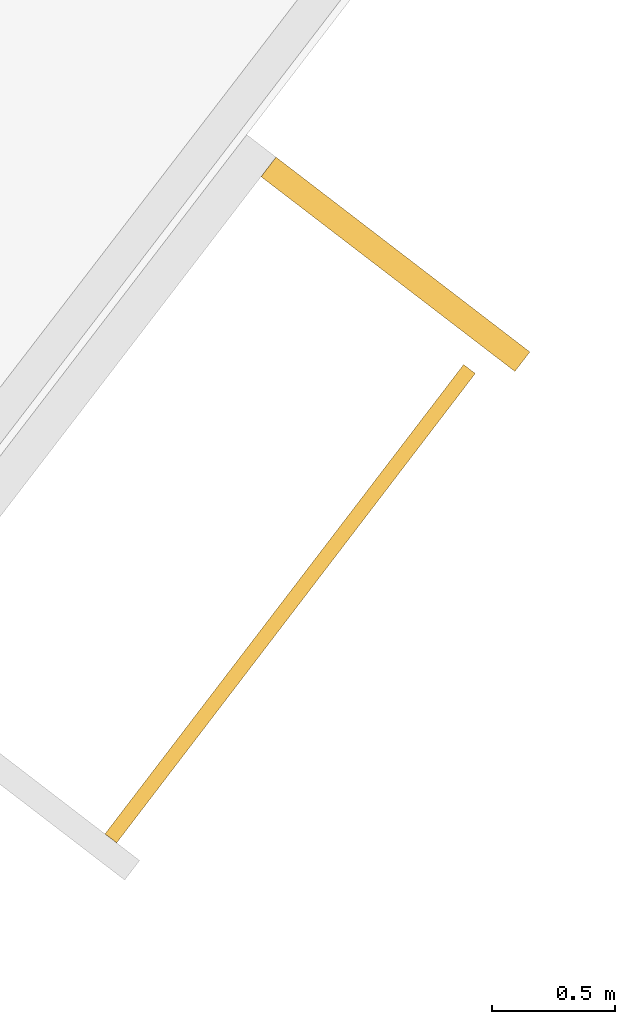
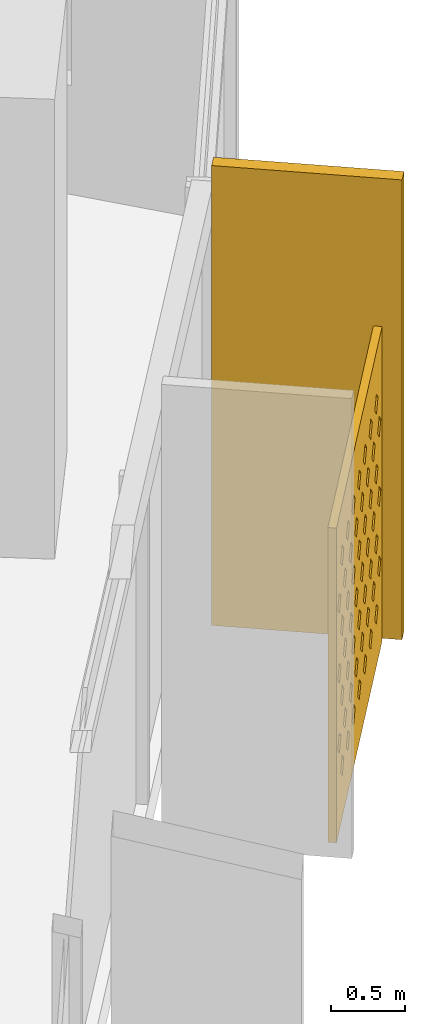
# One storey, part 31 of 31: 2 shading devices.
"""IFC4 building model written with IfcOpenShell, lengths in metres."""

from ifc_helpers import new_model, si_unit, direction, frame, origin, origin_2d, place, context, subcontext, project, spatial, polyline, rectangle, outline, extrude, material, material_profile, profile_set, type_object, element, save


model = new_model("IFC4")

# Units and contexts
model_context = context("Model", 3, precision=1e-05, world=origin(), true_north=direction((0.0, 1.0)))
body_context = subcontext(model_context, "Body", "Model", "MODEL_VIEW")
ifc_project = project(units=[si_unit("LENGTHUNIT", "METRE"), si_unit("AREAUNIT", "SQUARE_METRE"), si_unit("VOLUMEUNIT", "CUBIC_METRE"), si_unit("PLANEANGLEUNIT", "RADIAN"), si_unit("MASSUNIT", "GRAM", prefix="KILO")], contexts=[model_context])

# Site, building, storey
site_placement = place(None, origin())
site = spatial("IfcSite", under=ifc_project, at=site_placement, CompositionType="ELEMENT")
building_placement = place(site_placement, origin())
building = spatial("IfcBuilding", under=site, at=building_placement, Name="Qamariyya Broadcast Tower", CompositionType="ELEMENT")
storey_placement = place(building_placement, frame((0.0, 0.0, 86.10009765625)))
storey = spatial("IfcBuildingStorey", under=building, at=storey_placement, Name="L18", CompositionType="ELEMENT", Elevation=86.10009765625)

# Shading devices
ifc_material_1 = material(Name="Perforated glazed terracotta", Category="masonry")
ifc_material_profile_1 = material_profile(ifc_material_1, outline(polyline([(-1.199951171875, -1.300048828125), (1.199951171875, -1.300048828125), (1.199951171875, 1.300048828125), (-1.199951171875, 1.300048828125), (-1.199951171875, -1.300048828125)]), holes=[polyline([(-0.81494140625, -0.86669921875), (-0.89990234375, -0.78173828125), (-0.985107421875, -0.86669921875), (-0.89990234375, -0.95166015625), (-0.81494140625, -0.86669921875)]), polyline([(-0.514892578125, -0.86669921875), (-0.60009765625, -0.78173828125), (-0.68505859375, -0.86669921875), (-0.60009765625, -0.95166015625), (-0.514892578125, -0.86669921875)]), polyline([(-0.215087890625, -0.86669921875), (-0.300048828125, -0.78173828125), (-0.385009765625, -0.86669921875), (-0.300048828125, -0.95166015625), (-0.215087890625, -0.86669921875)]), polyline([(0.0849609375, -0.86669921875), (0.0, -0.78173828125), (-0.0849609375, -0.86669921875), (0.0, -0.95166015625), (0.0849609375, -0.86669921875)]), polyline([(0.385009765625, -0.86669921875), (0.300048828125, -0.78173828125), (0.215087890625, -0.86669921875), (0.300048828125, -0.95166015625), (0.385009765625, -0.86669921875)]), polyline([(0.68505859375, -0.86669921875), (0.60009765625, -0.78173828125), (0.514892578125, -0.86669921875), (0.60009765625, -0.95166015625), (0.68505859375, -0.86669921875)]), polyline([(0.985107421875, -0.86669921875), (0.89990234375, -0.78173828125), (0.81494140625, -0.86669921875), (0.89990234375, -0.95166015625), (0.985107421875, -0.86669921875)]), polyline([(-0.965087890625, -0.577880859375), (-1.050048828125, -0.49267578125), (-1.135009765625, -0.577880859375), (-1.050048828125, -0.662841796875), (-0.965087890625, -0.577880859375)]), polyline([(-0.6650390625, -0.577880859375), (-0.75, -0.49267578125), (-0.8349609375, -0.577880859375), (-0.75, -0.662841796875), (-0.6650390625, -0.577880859375)]), polyline([(-0.364990234375, -0.577880859375), (-0.449951171875, -0.49267578125), (-0.534912109375, -0.577880859375), (-0.449951171875, -0.662841796875), (-0.364990234375, -0.577880859375)]), polyline([(-0.06494140625, -0.577880859375), (-0.14990234375, -0.49267578125), (-0.235107421875, -0.577880859375), (-0.14990234375, -0.662841796875), (-0.06494140625, -0.577880859375)]), polyline([(0.235107421875, -0.577880859375), (0.14990234375, -0.49267578125), (0.06494140625, -0.577880859375), (0.14990234375, -0.662841796875), (0.235107421875, -0.577880859375)]), polyline([(0.534912109375, -0.577880859375), (0.449951171875, -0.49267578125), (0.364990234375, -0.577880859375), (0.449951171875, -0.662841796875), (0.534912109375, -0.577880859375)]), polyline([(0.8349609375, -0.577880859375), (0.75, -0.49267578125), (0.6650390625, -0.577880859375), (0.75, -0.662841796875), (0.8349609375, -0.577880859375)]), polyline([(1.135009765625, -0.577880859375), (1.050048828125, -0.49267578125), (0.965087890625, -0.577880859375), (1.050048828125, -0.662841796875), (1.135009765625, -0.577880859375)]), polyline([(-0.81494140625, -0.288818359375), (-0.89990234375, -0.203857421875), (-0.985107421875, -0.288818359375), (-0.89990234375, -0.373779296875), (-0.81494140625, -0.288818359375)]), polyline([(-0.514892578125, -0.288818359375), (-0.60009765625, -0.203857421875), (-0.68505859375, -0.288818359375), (-0.60009765625, -0.373779296875), (-0.514892578125, -0.288818359375)]), polyline([(-0.215087890625, -0.288818359375), (-0.300048828125, -0.203857421875), (-0.385009765625, -0.288818359375), (-0.300048828125, -0.373779296875), (-0.215087890625, -0.288818359375)]), polyline([(0.0849609375, -0.288818359375), (0.0, -0.203857421875), (-0.0849609375, -0.288818359375), (0.0, -0.373779296875), (0.0849609375, -0.288818359375)]), polyline([(0.385009765625, -0.288818359375), (0.300048828125, -0.203857421875), (0.215087890625, -0.288818359375), (0.300048828125, -0.373779296875), (0.385009765625, -0.288818359375)]), polyline([(0.68505859375, -0.288818359375), (0.60009765625, -0.203857421875), (0.514892578125, -0.288818359375), (0.60009765625, -0.373779296875), (0.68505859375, -0.288818359375)]), polyline([(0.985107421875, -0.288818359375), (0.89990234375, -0.203857421875), (0.81494140625, -0.288818359375), (0.89990234375, -0.373779296875), (0.985107421875, -0.288818359375)]), polyline([(-0.965087890625, 0.0), (-1.050048828125, 0.0849609375), (-1.135009765625, 0.0), (-1.050048828125, -0.0849609375), (-0.965087890625, 0.0)]), polyline([(-0.6650390625, 0.0), (-0.75, 0.0849609375), (-0.8349609375, 0.0), (-0.75, -0.0849609375), (-0.6650390625, 0.0)]), polyline([(-0.364990234375, 0.0), (-0.449951171875, 0.0849609375), (-0.534912109375, 0.0), (-0.449951171875, -0.0849609375), (-0.364990234375, 0.0)]), polyline([(-0.06494140625, 0.0), (-0.14990234375, 0.0849609375), (-0.235107421875, 0.0), (-0.14990234375, -0.0849609375), (-0.06494140625, 0.0)]), polyline([(0.235107421875, 0.0), (0.14990234375, 0.0849609375), (0.06494140625, 0.0), (0.14990234375, -0.0849609375), (0.235107421875, 0.0)]), polyline([(0.534912109375, 0.0), (0.449951171875, 0.0849609375), (0.364990234375, 0.0), (0.449951171875, -0.0849609375), (0.534912109375, 0.0)]), polyline([(0.8349609375, 0.0), (0.75, 0.0849609375), (0.6650390625, 0.0), (0.75, -0.0849609375), (0.8349609375, 0.0)]), polyline([(1.135009765625, 0.0), (1.050048828125, 0.0849609375), (0.965087890625, 0.0), (1.050048828125, -0.0849609375), (1.135009765625, 0.0)]), polyline([(-0.81494140625, 0.288818359375), (-0.89990234375, 0.373779296875), (-0.985107421875, 0.288818359375), (-0.89990234375, 0.203857421875), (-0.81494140625, 0.288818359375)]), polyline([(-0.514892578125, 0.288818359375), (-0.60009765625, 0.373779296875), (-0.68505859375, 0.288818359375), (-0.60009765625, 0.203857421875), (-0.514892578125, 0.288818359375)]), polyline([(-0.215087890625, 0.288818359375), (-0.300048828125, 0.373779296875), (-0.385009765625, 0.288818359375), (-0.300048828125, 0.203857421875), (-0.215087890625, 0.288818359375)]), polyline([(0.0849609375, 0.288818359375), (0.0, 0.373779296875), (-0.0849609375, 0.288818359375), (0.0, 0.203857421875), (0.0849609375, 0.288818359375)]), polyline([(0.385009765625, 0.288818359375), (0.300048828125, 0.373779296875), (0.215087890625, 0.288818359375), (0.300048828125, 0.203857421875), (0.385009765625, 0.288818359375)]), polyline([(0.68505859375, 0.288818359375), (0.60009765625, 0.373779296875), (0.514892578125, 0.288818359375), (0.60009765625, 0.203857421875), (0.68505859375, 0.288818359375)]), polyline([(0.985107421875, 0.288818359375), (0.89990234375, 0.373779296875), (0.81494140625, 0.288818359375), (0.89990234375, 0.203857421875), (0.985107421875, 0.288818359375)]), polyline([(-0.965087890625, 0.577880859375), (-1.050048828125, 0.662841796875), (-1.135009765625, 0.577880859375), (-1.050048828125, 0.49267578125), (-0.965087890625, 0.577880859375)]), polyline([(-0.6650390625, 0.577880859375), (-0.75, 0.662841796875), (-0.8349609375, 0.577880859375), (-0.75, 0.49267578125), (-0.6650390625, 0.577880859375)]), polyline([(-0.364990234375, 0.577880859375), (-0.449951171875, 0.662841796875), (-0.534912109375, 0.577880859375), (-0.449951171875, 0.49267578125), (-0.364990234375, 0.577880859375)]), polyline([(-0.06494140625, 0.577880859375), (-0.14990234375, 0.662841796875), (-0.235107421875, 0.577880859375), (-0.14990234375, 0.49267578125), (-0.06494140625, 0.577880859375)]), polyline([(0.235107421875, 0.577880859375), (0.14990234375, 0.662841796875), (0.06494140625, 0.577880859375), (0.14990234375, 0.49267578125), (0.235107421875, 0.577880859375)]), polyline([(0.534912109375, 0.577880859375), (0.449951171875, 0.662841796875), (0.364990234375, 0.577880859375), (0.449951171875, 0.49267578125), (0.534912109375, 0.577880859375)]), polyline([(0.8349609375, 0.577880859375), (0.75, 0.662841796875), (0.6650390625, 0.577880859375), (0.75, 0.49267578125), (0.8349609375, 0.577880859375)]), polyline([(1.135009765625, 0.577880859375), (1.050048828125, 0.662841796875), (0.965087890625, 0.577880859375), (1.050048828125, 0.49267578125), (1.135009765625, 0.577880859375)]), polyline([(-0.81494140625, 0.86669921875), (-0.89990234375, 0.95166015625), (-0.985107421875, 0.86669921875), (-0.89990234375, 0.78173828125), (-0.81494140625, 0.86669921875)]), polyline([(-0.514892578125, 0.86669921875), (-0.60009765625, 0.95166015625), (-0.68505859375, 0.86669921875), (-0.60009765625, 0.78173828125), (-0.514892578125, 0.86669921875)]), polyline([(-0.215087890625, 0.86669921875), (-0.300048828125, 0.95166015625), (-0.385009765625, 0.86669921875), (-0.300048828125, 0.78173828125), (-0.215087890625, 0.86669921875)]), polyline([(0.0849609375, 0.86669921875), (0.0, 0.95166015625), (-0.0849609375, 0.86669921875), (0.0, 0.78173828125), (0.0849609375, 0.86669921875)]), polyline([(0.385009765625, 0.86669921875), (0.300048828125, 0.95166015625), (0.215087890625, 0.86669921875), (0.300048828125, 0.78173828125), (0.385009765625, 0.86669921875)]), polyline([(0.68505859375, 0.86669921875), (0.60009765625, 0.95166015625), (0.514892578125, 0.86669921875), (0.60009765625, 0.78173828125), (0.68505859375, 0.86669921875)]), polyline([(0.985107421875, 0.86669921875), (0.89990234375, 0.95166015625), (0.81494140625, 0.86669921875), (0.89990234375, 0.78173828125), (0.985107421875, 0.86669921875)])]))
ifc_profile_set_1 = profile_set([ifc_material_profile_1], Name="Perforated glazed terracotta")
shading_device_type_1 = type_object("IfcShadingDeviceType", Name="Perforated terracotta screen 2400 x 2600", PredefinedType="USERDEFINED", material=ifc_profile_set_1)
shading_device_1_placement = place(storey_placement, frame((65.61669921875, -47.13232421875, 1.349853515625), z_axis=(0.794589096806, -0.607147566278, 0.0), x_axis=(0.607147566278, 0.794589096806, 0.0)))
element("IfcShadingDevice", 1, at=shading_device_1_placement, inside=storey, type_object=shading_device_type_1, Name="e-scr-L18-15-2", ObjectType="SCREEN", PredefinedType="USERDEFINED", context=body_context, shape_type="SweptSolid", body=[
    extrude(outline(polyline([(-1.199951171875, -1.300048828125), (1.199951171875, -1.300048828125), (1.199951171875, 1.300048828125), (-1.199951171875, 1.300048828125), (-1.199951171875, -1.300048828125)]), holes=[polyline([(-0.81494140625, -0.86669921875), (-0.89990234375, -0.78173828125), (-0.985107421875, -0.86669921875), (-0.89990234375, -0.95166015625), (-0.81494140625, -0.86669921875)]), polyline([(-0.514892578125, -0.86669921875), (-0.60009765625, -0.78173828125), (-0.68505859375, -0.86669921875), (-0.60009765625, -0.95166015625), (-0.514892578125, -0.86669921875)]), polyline([(-0.215087890625, -0.86669921875), (-0.300048828125, -0.78173828125), (-0.385009765625, -0.86669921875), (-0.300048828125, -0.95166015625), (-0.215087890625, -0.86669921875)]), polyline([(0.0849609375, -0.86669921875), (0.0, -0.78173828125), (-0.0849609375, -0.86669921875), (0.0, -0.95166015625), (0.0849609375, -0.86669921875)]), polyline([(0.385009765625, -0.86669921875), (0.300048828125, -0.78173828125), (0.215087890625, -0.86669921875), (0.300048828125, -0.95166015625), (0.385009765625, -0.86669921875)]), polyline([(0.68505859375, -0.86669921875), (0.60009765625, -0.78173828125), (0.514892578125, -0.86669921875), (0.60009765625, -0.95166015625), (0.68505859375, -0.86669921875)]), polyline([(0.985107421875, -0.86669921875), (0.89990234375, -0.78173828125), (0.81494140625, -0.86669921875), (0.89990234375, -0.95166015625), (0.985107421875, -0.86669921875)]), polyline([(-0.965087890625, -0.577880859375), (-1.050048828125, -0.49267578125), (-1.135009765625, -0.577880859375), (-1.050048828125, -0.662841796875), (-0.965087890625, -0.577880859375)]), polyline([(-0.6650390625, -0.577880859375), (-0.75, -0.49267578125), (-0.8349609375, -0.577880859375), (-0.75, -0.662841796875), (-0.6650390625, -0.577880859375)]), polyline([(-0.364990234375, -0.577880859375), (-0.449951171875, -0.49267578125), (-0.534912109375, -0.577880859375), (-0.449951171875, -0.662841796875), (-0.364990234375, -0.577880859375)]), polyline([(-0.06494140625, -0.577880859375), (-0.14990234375, -0.49267578125), (-0.235107421875, -0.577880859375), (-0.14990234375, -0.662841796875), (-0.06494140625, -0.577880859375)]), polyline([(0.235107421875, -0.577880859375), (0.14990234375, -0.49267578125), (0.06494140625, -0.577880859375), (0.14990234375, -0.662841796875), (0.235107421875, -0.577880859375)]), polyline([(0.534912109375, -0.577880859375), (0.449951171875, -0.49267578125), (0.364990234375, -0.577880859375), (0.449951171875, -0.662841796875), (0.534912109375, -0.577880859375)]), polyline([(0.8349609375, -0.577880859375), (0.75, -0.49267578125), (0.6650390625, -0.577880859375), (0.75, -0.662841796875), (0.8349609375, -0.577880859375)]), polyline([(1.135009765625, -0.577880859375), (1.050048828125, -0.49267578125), (0.965087890625, -0.577880859375), (1.050048828125, -0.662841796875), (1.135009765625, -0.577880859375)]), polyline([(-0.81494140625, -0.288818359375), (-0.89990234375, -0.203857421875), (-0.985107421875, -0.288818359375), (-0.89990234375, -0.373779296875), (-0.81494140625, -0.288818359375)]), polyline([(-0.514892578125, -0.288818359375), (-0.60009765625, -0.203857421875), (-0.68505859375, -0.288818359375), (-0.60009765625, -0.373779296875), (-0.514892578125, -0.288818359375)]), polyline([(-0.215087890625, -0.288818359375), (-0.300048828125, -0.203857421875), (-0.385009765625, -0.288818359375), (-0.300048828125, -0.373779296875), (-0.215087890625, -0.288818359375)]), polyline([(0.0849609375, -0.288818359375), (0.0, -0.203857421875), (-0.0849609375, -0.288818359375), (0.0, -0.373779296875), (0.0849609375, -0.288818359375)]), polyline([(0.385009765625, -0.288818359375), (0.300048828125, -0.203857421875), (0.215087890625, -0.288818359375), (0.300048828125, -0.373779296875), (0.385009765625, -0.288818359375)]), polyline([(0.68505859375, -0.288818359375), (0.60009765625, -0.203857421875), (0.514892578125, -0.288818359375), (0.60009765625, -0.373779296875), (0.68505859375, -0.288818359375)]), polyline([(0.985107421875, -0.288818359375), (0.89990234375, -0.203857421875), (0.81494140625, -0.288818359375), (0.89990234375, -0.373779296875), (0.985107421875, -0.288818359375)]), polyline([(-0.965087890625, 0.0), (-1.050048828125, 0.0849609375), (-1.135009765625, 0.0), (-1.050048828125, -0.0849609375), (-0.965087890625, 0.0)]), polyline([(-0.6650390625, 0.0), (-0.75, 0.0849609375), (-0.8349609375, 0.0), (-0.75, -0.0849609375), (-0.6650390625, 0.0)]), polyline([(-0.364990234375, 0.0), (-0.449951171875, 0.0849609375), (-0.534912109375, 0.0), (-0.449951171875, -0.0849609375), (-0.364990234375, 0.0)]), polyline([(-0.06494140625, 0.0), (-0.14990234375, 0.0849609375), (-0.235107421875, 0.0), (-0.14990234375, -0.0849609375), (-0.06494140625, 0.0)]), polyline([(0.235107421875, 0.0), (0.14990234375, 0.0849609375), (0.06494140625, 0.0), (0.14990234375, -0.0849609375), (0.235107421875, 0.0)]), polyline([(0.534912109375, 0.0), (0.449951171875, 0.0849609375), (0.364990234375, 0.0), (0.449951171875, -0.0849609375), (0.534912109375, 0.0)]), polyline([(0.8349609375, 0.0), (0.75, 0.0849609375), (0.6650390625, 0.0), (0.75, -0.0849609375), (0.8349609375, 0.0)]), polyline([(1.135009765625, 0.0), (1.050048828125, 0.0849609375), (0.965087890625, 0.0), (1.050048828125, -0.0849609375), (1.135009765625, 0.0)]), polyline([(-0.81494140625, 0.288818359375), (-0.89990234375, 0.373779296875), (-0.985107421875, 0.288818359375), (-0.89990234375, 0.203857421875), (-0.81494140625, 0.288818359375)]), polyline([(-0.514892578125, 0.288818359375), (-0.60009765625, 0.373779296875), (-0.68505859375, 0.288818359375), (-0.60009765625, 0.203857421875), (-0.514892578125, 0.288818359375)]), polyline([(-0.215087890625, 0.288818359375), (-0.300048828125, 0.373779296875), (-0.385009765625, 0.288818359375), (-0.300048828125, 0.203857421875), (-0.215087890625, 0.288818359375)]), polyline([(0.0849609375, 0.288818359375), (0.0, 0.373779296875), (-0.0849609375, 0.288818359375), (0.0, 0.203857421875), (0.0849609375, 0.288818359375)]), polyline([(0.385009765625, 0.288818359375), (0.300048828125, 0.373779296875), (0.215087890625, 0.288818359375), (0.300048828125, 0.203857421875), (0.385009765625, 0.288818359375)]), polyline([(0.68505859375, 0.288818359375), (0.60009765625, 0.373779296875), (0.514892578125, 0.288818359375), (0.60009765625, 0.203857421875), (0.68505859375, 0.288818359375)]), polyline([(0.985107421875, 0.288818359375), (0.89990234375, 0.373779296875), (0.81494140625, 0.288818359375), (0.89990234375, 0.203857421875), (0.985107421875, 0.288818359375)]), polyline([(-0.965087890625, 0.577880859375), (-1.050048828125, 0.662841796875), (-1.135009765625, 0.577880859375), (-1.050048828125, 0.49267578125), (-0.965087890625, 0.577880859375)]), polyline([(-0.6650390625, 0.577880859375), (-0.75, 0.662841796875), (-0.8349609375, 0.577880859375), (-0.75, 0.49267578125), (-0.6650390625, 0.577880859375)]), polyline([(-0.364990234375, 0.577880859375), (-0.449951171875, 0.662841796875), (-0.534912109375, 0.577880859375), (-0.449951171875, 0.49267578125), (-0.364990234375, 0.577880859375)]), polyline([(-0.06494140625, 0.577880859375), (-0.14990234375, 0.662841796875), (-0.235107421875, 0.577880859375), (-0.14990234375, 0.49267578125), (-0.06494140625, 0.577880859375)]), polyline([(0.235107421875, 0.577880859375), (0.14990234375, 0.662841796875), (0.06494140625, 0.577880859375), (0.14990234375, 0.49267578125), (0.235107421875, 0.577880859375)]), polyline([(0.534912109375, 0.577880859375), (0.449951171875, 0.662841796875), (0.364990234375, 0.577880859375), (0.449951171875, 0.49267578125), (0.534912109375, 0.577880859375)]), polyline([(0.8349609375, 0.577880859375), (0.75, 0.662841796875), (0.6650390625, 0.577880859375), (0.75, 0.49267578125), (0.8349609375, 0.577880859375)]), polyline([(1.135009765625, 0.577880859375), (1.050048828125, 0.662841796875), (0.965087890625, 0.577880859375), (1.050048828125, 0.49267578125), (1.135009765625, 0.577880859375)]), polyline([(-0.81494140625, 0.86669921875), (-0.89990234375, 0.95166015625), (-0.985107421875, 0.86669921875), (-0.89990234375, 0.78173828125), (-0.81494140625, 0.86669921875)]), polyline([(-0.514892578125, 0.86669921875), (-0.60009765625, 0.95166015625), (-0.68505859375, 0.86669921875), (-0.60009765625, 0.78173828125), (-0.514892578125, 0.86669921875)]), polyline([(-0.215087890625, 0.86669921875), (-0.300048828125, 0.95166015625), (-0.385009765625, 0.86669921875), (-0.300048828125, 0.78173828125), (-0.215087890625, 0.86669921875)]), polyline([(0.0849609375, 0.86669921875), (0.0, 0.95166015625), (-0.0849609375, 0.86669921875), (0.0, 0.78173828125), (0.0849609375, 0.86669921875)]), polyline([(0.385009765625, 0.86669921875), (0.300048828125, 0.95166015625), (0.215087890625, 0.86669921875), (0.300048828125, 0.78173828125), (0.385009765625, 0.86669921875)]), polyline([(0.68505859375, 0.86669921875), (0.60009765625, 0.95166015625), (0.514892578125, 0.86669921875), (0.60009765625, 0.78173828125), (0.68505859375, 0.86669921875)]), polyline([(0.985107421875, 0.86669921875), (0.89990234375, 0.95166015625), (0.81494140625, 0.86669921875), (0.89990234375, 0.78173828125), (0.985107421875, 0.86669921875)])]), origin(), (0.0, 0.0, 1.0), 0.059814453125),
])
ifc_material_2 = material(Name="Glazed terracotta", Category="masonry")
ifc_material_profile_2 = material_profile(ifc_material_2, rectangle(XDim=1.300048828125, YDim=0.10009765625, at=origin_2d()))
ifc_profile_set_2 = profile_set([ifc_material_profile_2], Name="Glazed terracotta")
shading_device_type_2 = type_object("IfcShadingDeviceType", Name="Terracotta fin 100 x 1300", PredefinedType="USERDEFINED", material=ifc_profile_set_2)
shading_device_2_placement = place(storey_placement, frame((66.068359375, -45.771484375, 0.0), z_axis=(0.0, 0.0, 1.0), x_axis=(0.793353340291, -0.608761429009, 0.0)))
element("IfcShadingDevice", 2, at=shading_device_2_placement, inside=storey, type_object=shading_device_type_2, Name="e-fin-L18-15-3", ObjectType="FIN", PredefinedType="USERDEFINED", context=body_context, shape_type="SweptSolid", body=[
    extrude(rectangle(XDim=1.300048828125, YDim=0.10009765625, at=origin_2d()), origin(), (0.0, 0.0, 1.0), 3.7998046875),
])

save(model, "model.ifc")
